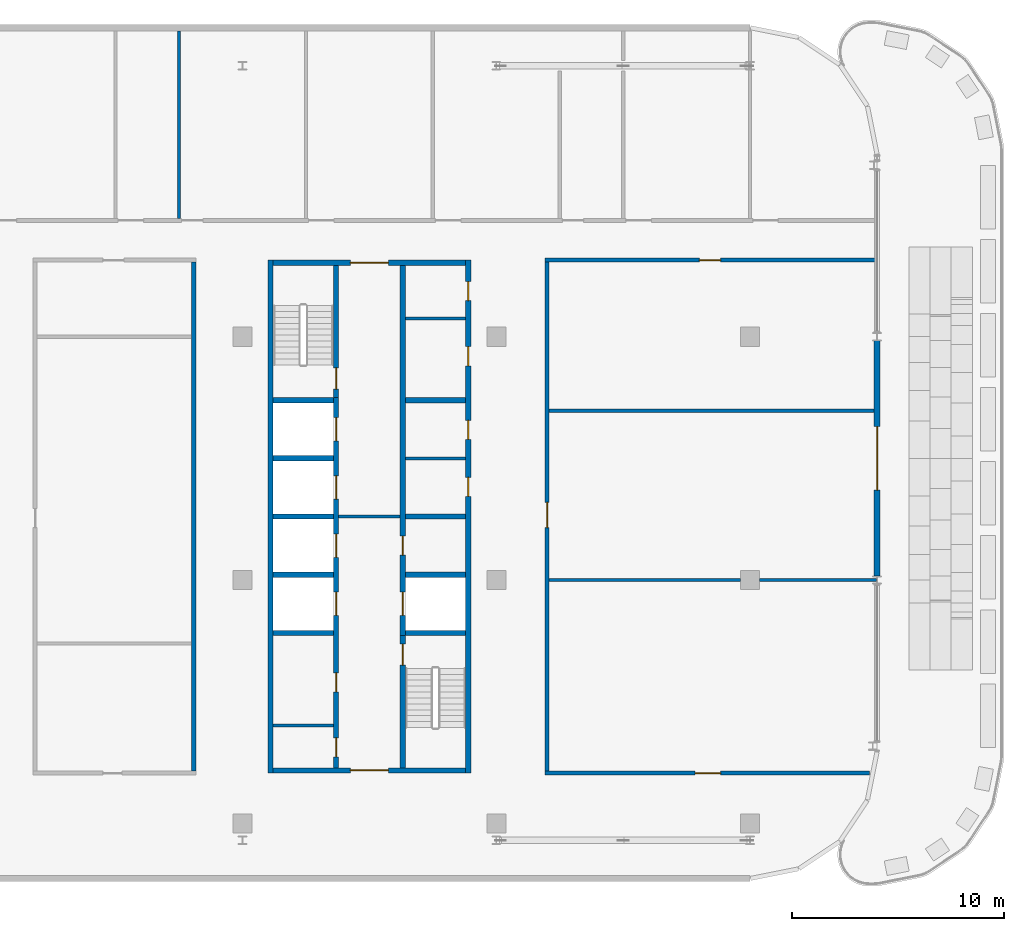
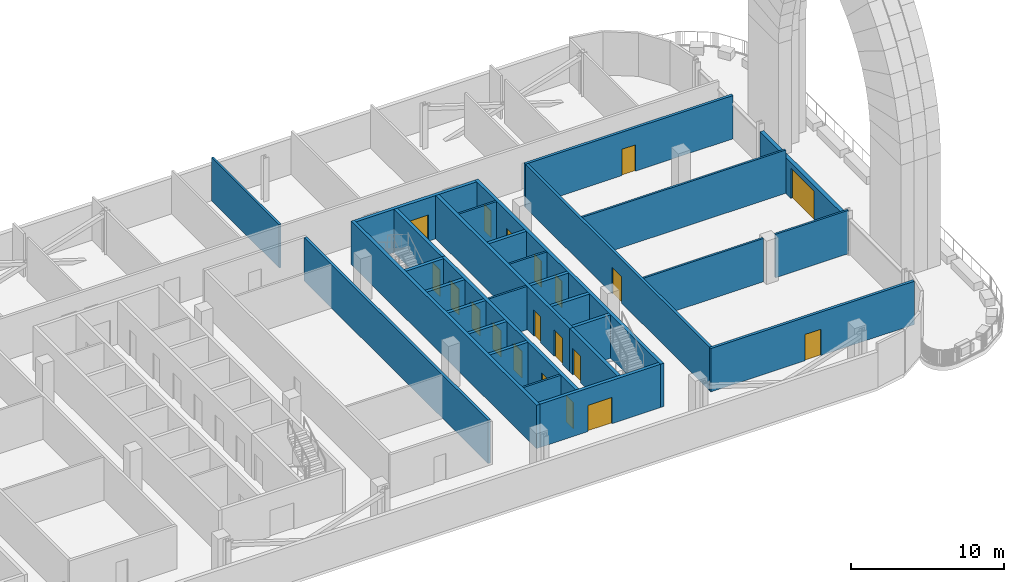
# One storey, part 17 of 30: 30 walls, 20 doors, 20 openings.
"""IFC4 building model written with IfcOpenShell, lengths in metres."""

from ifc_helpers import new_model, si_unit, direction, frame, frame_2d, origin, place, context, subcontext, project, spatial, rectangle, extrude, material, layer, layer_set, type_object, element, fill, save


model = new_model("IFC4")

# Units and contexts
model_context = context("Model", 3, precision=1e-05, world=origin(), true_north=direction((0.0, 1.0)))
body_context = subcontext(model_context, "Body", "Model", "MODEL_VIEW")
ifc_project = project(units=[si_unit("LENGTHUNIT", "METRE"), si_unit("AREAUNIT", "SQUARE_METRE"), si_unit("VOLUMEUNIT", "CUBIC_METRE"), si_unit("PLANEANGLEUNIT", "RADIAN"), si_unit("MASSUNIT", "GRAM", prefix="KILO")], contexts=[model_context])

# Site, building, storey
site_placement = place(None, origin())
site = spatial("IfcSite", under=ifc_project, at=site_placement, CompositionType="ELEMENT")
building_placement = place(site_placement, origin())
building = spatial("IfcBuilding", under=site, at=building_placement, Name="Mahtab Terrace Research Tower", CompositionType="ELEMENT")
storey_placement = place(building_placement, frame((0.0, 0.0, 263.300048828125)))
storey = spatial("IfcBuildingStorey", under=building, at=storey_placement, Name="L64", CompositionType="ELEMENT", Elevation=263.300048828125)

# Walls
ifc_material_1 = material(Name="Gypsum board partition")
ifc_layer_1 = layer(ifc_material_1, 0.14990234375)
ifc_layer_set_1 = layer_set([ifc_layer_1], Name="Core partition 150")
wall_type_1 = type_object("IfcWallType", Name="Core partition 150", PredefinedType="PARTITIONING", material=ifc_layer_set_1)
wall_1_placement = place(storey_placement, frame((22.550048828125, 3.0, 0.0), z_axis=(0.0, 0.0, 1.0), x_axis=(1.0, 0.0, 0.0)))
element("IfcWall", 1, at=wall_1_placement, inside=storey, type_object=wall_type_1, Name="Core wall C ffl", PredefinedType="PARTITIONING", context=body_context, shape_type="SweptSolid", body=[
    extrude(rectangle(XDim=2.89990234375, YDim=0.14990234375, at=frame_2d((1.449951171875, 0.0))), origin(), (0.0, 0.0, 1.0), 3.4599609375),
])
for number, where, z_axis, x_axis, name in (
    (2, (25.699951171875, 5.75, 0.0), (0.0, 0.0, 1.0), (1.0, 0.0, 0.0), "Core wall C pEL275"),
    (3, (19.449951171875, -6.875, 0.0), (0.0, 0.0, 1.0), (1.0, 0.0, 0.0), "Core wall C pWS-988"),
    (4, (25.699951171875, 12.35498046875, 0.0), (0.0, 0.0, 1.0), (1.0, 0.0, 0.0), "Core wall C pEN936"),
):
    element("IfcWall", number, at=place(storey_placement, frame(where, z_axis=z_axis, x_axis=x_axis)), inside=storey, type_object=wall_type_1, Name=name, PredefinedType="PARTITIONING", context=body_context, shape_type="SweptSolid", body=[
        extrude(rectangle(XDim=2.85009765625, YDim=0.14990234375, at=frame_2d((1.425048828125, 0.0))), origin(), (0.0, 0.0, 1.0), 3.4599609375),
    ])
ifc_material_2 = material(Name="Concrete C70/85", Category="concrete")
ifc_layer_2 = layer(ifc_material_2, 0.25)
ifc_layer_set_2 = layer_set([ifc_layer_2], Name="Core wall 250")
wall_type_2 = type_object("IfcWallType", Name="Core wall 250", PredefinedType="SOLIDWALL", material=ifc_layer_set_2)
wall_2_placement = place(storey_placement, frame((19.324951171875, 15.125, 0.0), z_axis=(0.0, 0.0, 1.0), x_axis=(0.0, -1.0, 0.0)))
element("IfcWall", 5, at=wall_2_placement, inside=storey, type_object=wall_type_2, Name="Core wall C outerW", PredefinedType="SOLIDWALL", context=body_context, shape_type="SweptSolid", body=[
    extrude(rectangle(XDim=24.25, YDim=0.25, at=frame_2d((12.125, 0.0))), origin(), (0.0, 0.0, 1.0), 3.4599609375),
])

# Wall, openings, doors
wall_3_placement = place(storey_placement, frame((28.675048828125, -9.125, 0.0), z_axis=(0.0, 0.0, 1.0), x_axis=(0.0, 1.0, 0.0)))
wall_3 = element("IfcWall", 6, at=wall_3_placement, inside=storey, type_object=wall_type_2, Name="Core wall C outerE", PredefinedType="SOLIDWALL", context=body_context, shape_type="SweptSolid", body=[
    extrude(rectangle(XDim=24.25, YDim=0.25, at=frame_2d((12.125, 0.0))), origin(), (0.0, 0.0, 1.0), 3.4599609375),
])
opening_1_placement = place(wall_3_placement, frame((13.074951171875, 0.0, 0.0)))
opening_1 = element("IfcOpeningElement", 7, at=opening_1_placement, cuts=wall_3, Name="Opening C-R2", PredefinedType="OPENING", context=body_context, shape_type="SweptSolid", body=[
    extrude(rectangle(XDim=0.89990234375, YDim=2.10009765625, at=frame_2d((0.449951171875, 1.050048828125))), frame((0.0, 0.135009765625, 0.0), z_axis=(0.0, -1.0, 0.0), x_axis=(1.0, 0.0, 0.0)), (0.0, 0.0, 1.0), 0.27001953125),
])
opening_2_placement = place(wall_3_placement, frame((15.77490234375, 0.0, 0.0)))
opening_2 = element("IfcOpeningElement", 8, at=opening_2_placement, cuts=wall_3, Name="Opening C-R3", PredefinedType="OPENING", context=body_context, shape_type="SweptSolid", body=[
    extrude(rectangle(XDim=0.89990234375, YDim=2.10009765625, at=frame_2d((0.449951171875, 1.050048828125))), frame((0.0, 0.135009765625, 0.0), z_axis=(0.0, -1.0, 0.0), x_axis=(1.0, 0.0, 0.0)), (0.0, 0.0, 1.0), 0.27001953125),
])
opening_3_placement = place(wall_3_placement, frame((19.25244140625, 0.0, 0.0)))
opening_3 = element("IfcOpeningElement", 9, at=opening_3_placement, cuts=wall_3, Name="Opening C-R6", PredefinedType="OPENING", context=body_context, shape_type="SweptSolid", body=[
    extrude(rectangle(XDim=0.89990234375, YDim=2.10009765625, at=frame_2d((0.449951171875, 1.050048828125))), frame((0.0, 0.135009765625, 0.0), z_axis=(0.0, -1.0, 0.0), x_axis=(1.0, 0.0, 0.0)), (0.0, 0.0, 1.0), 0.27001953125),
])
opening_4_placement = place(wall_3_placement, frame((22.327392578125, 0.0, 0.0)))
opening_4 = element("IfcOpeningElement", 10, at=opening_4_placement, cuts=wall_3, Name="Opening C-R7", PredefinedType="OPENING", context=body_context, shape_type="SweptSolid", body=[
    extrude(rectangle(XDim=0.89990234375, YDim=2.10009765625, at=frame_2d((0.449951171875, 1.050048828125))), frame((0.0, 0.135009765625, 0.0), z_axis=(0.0, -1.0, 0.0), x_axis=(1.0, 0.0, 0.0)), (0.0, 0.0, 1.0), 0.27001953125),
])
ifc_material_3 = material(Name="Steel fire door", Category="steel")
door_type_1 = type_object("IfcDoorType", Name="Room door 900x2100 1 HR", OperationType="NOTDEFINED", PredefinedType="DOOR", material=ifc_material_3)
door_1_placement = place(opening_1_placement, origin())
door_1 = element("IfcDoor", 11, at=door_1_placement, inside=storey, type_object=door_type_1, Name="Document store door", OperationType="SINGLE_SWING_RIGHT", OverallHeight=2.10009765625, OverallWidth=0.89990234375, PredefinedType="DOOR", context=body_context, shape_type="SweptSolid", body=[
    extrude(rectangle(XDim=0.89990234375, YDim=2.10009765625, at=frame_2d((0.449951171875, 1.050048828125))), frame((0.0, 0.02490234375, 0.0), z_axis=(0.0, -1.0, 0.0), x_axis=(1.0, 0.0, 0.0)), (0.0, 0.0, 1.0), 0.050048828125),
])
fill(opening_1, door_1)
door_2_placement = place(opening_2_placement, origin())
door_2 = element("IfcDoor", 12, at=door_2_placement, inside=storey, type_object=door_type_1, Name="IT equipment room door", OperationType="SINGLE_SWING_LEFT", OverallHeight=2.10009765625, OverallWidth=0.89990234375, PredefinedType="DOOR", context=body_context, shape_type="SweptSolid", body=[
    extrude(rectangle(XDim=0.89990234375, YDim=2.10009765625, at=frame_2d((0.449951171875, 1.050048828125))), frame((0.0, 0.02490234375, 0.0), z_axis=(0.0, -1.0, 0.0), x_axis=(1.0, 0.0, 0.0)), (0.0, 0.0, 1.0), 0.050048828125),
])
fill(opening_2, door_2)
door_3_placement = place(opening_3_placement, origin())
door_3 = element("IfcDoor", 13, at=door_3_placement, inside=storey, type_object=door_type_1, Name="Pantry door", OperationType="SINGLE_SWING_RIGHT", OverallHeight=2.10009765625, OverallWidth=0.89990234375, PredefinedType="DOOR", context=body_context, shape_type="SweptSolid", body=[
    extrude(rectangle(XDim=0.89990234375, YDim=2.10009765625, at=frame_2d((0.449951171875, 1.050048828125))), frame((0.0, 0.02490234375, 0.0), z_axis=(0.0, -1.0, 0.0), x_axis=(1.0, 0.0, 0.0)), (0.0, 0.0, 1.0), 0.050048828125),
])
fill(opening_3, door_3)
door_4_placement = place(opening_4_placement, origin())
door_4 = element("IfcDoor", 14, at=door_4_placement, inside=storey, type_object=door_type_1, Name="Linen store door", OperationType="SINGLE_SWING_LEFT", OverallHeight=2.10009765625, OverallWidth=0.89990234375, PredefinedType="DOOR", context=body_context, shape_type="SweptSolid", body=[
    extrude(rectangle(XDim=0.89990234375, YDim=2.10009765625, at=frame_2d((0.449951171875, 1.050048828125))), frame((0.0, 0.02490234375, 0.0), z_axis=(0.0, -1.0, 0.0), x_axis=(1.0, 0.0, 0.0)), (0.0, 0.0, 1.0), 0.050048828125),
])
fill(opening_4, door_4)

# Wall, opening, door
wall_4_placement = place(storey_placement, frame((28.550048828125, -9.0, 0.0), z_axis=(0.0, 0.0, 1.0), x_axis=(-1.0, 0.0, 0.0)))
wall_4 = element("IfcWall", 15, at=wall_4_placement, inside=storey, type_object=wall_type_2, Name="Core wall C endS", PredefinedType="SOLIDWALL", context=body_context, shape_type="SweptSolid", body=[
    extrude(rectangle(XDim=9.10009765625, YDim=0.25, at=frame_2d((4.550048828125, 0.0))), origin(), (0.0, 0.0, 1.0), 3.4599609375),
])
opening_5_placement = place(wall_4_placement, frame((3.64990234375, 0.0, 0.0)))
opening_5 = element("IfcOpeningElement", 16, at=opening_5_placement, cuts=wall_4, Name="Opening C-S1", PredefinedType="OPENING", context=body_context, shape_type="SweptSolid", body=[
    extrude(rectangle(XDim=1.800048828125, YDim=2.10009765625, at=frame_2d((0.89990234375, 1.050048828125))), frame((0.0, 0.135009765625, 0.0), z_axis=(0.0, -1.0, 0.0), x_axis=(1.0, 0.0, 0.0)), (0.0, 0.0, 1.0), 0.27001953125),
])
door_type_2 = type_object("IfcDoorType", Name="Lobby double door 1800x2100 1 HR", OperationType="DOUBLE_DOOR_SINGLE_SWING", PredefinedType="DOOR", material=ifc_material_3)
door_5_placement = place(opening_5_placement, origin())
door_5 = element("IfcDoor", 17, at=door_5_placement, inside=storey, type_object=door_type_2, Name="Core entrance door C S", OperationType="DOUBLE_DOOR_SINGLE_SWING", OverallHeight=2.10009765625, OverallWidth=1.800048828125, PredefinedType="DOOR", context=body_context, shape_type="SweptSolid", body=[
    extrude(rectangle(XDim=1.800048828125, YDim=2.10009765625, at=frame_2d((0.89990234375, 1.050048828125))), frame((0.0, 0.02490234375, 0.0), z_axis=(0.0, -1.0, 0.0), x_axis=(1.0, 0.0, 0.0)), (0.0, 0.0, 1.0), 0.050048828125),
])
fill(opening_5, door_5)

wall_5_placement = place(storey_placement, frame((19.449951171875, 15.0, 0.0), z_axis=(0.0, 0.0, 1.0), x_axis=(1.0, 0.0, 0.0)))
wall_5 = element("IfcWall", 18, at=wall_5_placement, inside=storey, type_object=wall_type_2, Name="Core wall C endN", PredefinedType="SOLIDWALL", context=body_context, shape_type="SweptSolid", body=[
    extrude(rectangle(XDim=9.10009765625, YDim=0.25, at=frame_2d((4.550048828125, 0.0))), origin(), (0.0, 0.0, 1.0), 3.4599609375),
])
opening_6_placement = place(wall_5_placement, frame((3.64990234375, 0.0, 0.0)))
opening_6 = element("IfcOpeningElement", 19, at=opening_6_placement, cuts=wall_5, Name="Opening C-N1", PredefinedType="OPENING", context=body_context, shape_type="SweptSolid", body=[
    extrude(rectangle(XDim=1.800048828125, YDim=2.10009765625, at=frame_2d((0.89990234375, 1.050048828125))), frame((0.0, 0.135009765625, 0.0), z_axis=(0.0, -1.0, 0.0), x_axis=(1.0, 0.0, 0.0)), (0.0, 0.0, 1.0), 0.27001953125),
])
door_6_placement = place(opening_6_placement, origin())
door_6 = element("IfcDoor", 20, at=door_6_placement, inside=storey, type_object=door_type_2, Name="Core entrance door C N", OperationType="DOUBLE_DOOR_SINGLE_SWING", OverallHeight=2.10009765625, OverallWidth=1.800048828125, PredefinedType="DOOR", context=body_context, shape_type="SweptSolid", body=[
    extrude(rectangle(XDim=1.800048828125, YDim=2.10009765625, at=frame_2d((0.89990234375, 1.050048828125))), frame((0.0, 0.02490234375, 0.0), z_axis=(0.0, -1.0, 0.0), x_axis=(1.0, 0.0, 0.0)), (0.0, 0.0, 1.0), 0.050048828125),
])
fill(opening_6, door_6)

# Wall, openings, doors
wall_6_placement = place(storey_placement, frame((22.425048828125, -8.875, 0.0), z_axis=(0.0, 0.0, 1.0), x_axis=(0.0, 1.0, 0.0)))
wall_6 = element("IfcWall", 21, at=wall_6_placement, inside=storey, type_object=wall_type_2, Name="Core wall C innerWSL", PredefinedType="SOLIDWALL", context=body_context, shape_type="SweptSolid", body=[
    extrude(rectangle(XDim=17.5, YDim=0.25, at=frame_2d((8.75, 0.0))), origin(), (0.0, 0.0, 1.0), 3.4599609375),
])
opening_7_placement = place(wall_6_placement, frame((7.199951171875, 0.0, 0.0)))
opening_7 = element("IfcOpeningElement", 22, at=opening_7_placement, cuts=wall_6, Name="Opening LD17-L64", PredefinedType="OPENING", context=body_context, shape_type="SweptSolid", body=[
    extrude(rectangle(XDim=1.10009765625, YDim=2.10009765625, at=frame_2d((0.550048828125, 1.050048828125))), frame((0.0, 0.135009765625, 0.0), z_axis=(0.0, -1.0, 0.0), x_axis=(1.0, 0.0, 0.0)), (0.0, 0.0, 1.0), 0.27001953125),
])
opening_8_placement = place(wall_6_placement, frame((9.949951171875, 0.0, 0.0)))
opening_8 = element("IfcOpeningElement", 23, at=opening_8_placement, cuts=wall_6, Name="Opening LD18-L64", PredefinedType="OPENING", context=body_context, shape_type="SweptSolid", body=[
    extrude(rectangle(XDim=1.10009765625, YDim=2.10009765625, at=frame_2d((0.550048828125, 1.050048828125))), frame((0.0, 0.135009765625, 0.0), z_axis=(0.0, -1.0, 0.0), x_axis=(1.0, 0.0, 0.0)), (0.0, 0.0, 1.0), 0.27001953125),
])
opening_9_placement = place(wall_6_placement, frame((12.699951171875, 0.0, 0.0)))
opening_9 = element("IfcOpeningElement", 24, at=opening_9_placement, cuts=wall_6, Name="Opening LD19-L64", PredefinedType="OPENING", context=body_context, shape_type="SweptSolid", body=[
    extrude(rectangle(XDim=1.10009765625, YDim=2.10009765625, at=frame_2d((0.550048828125, 1.050048828125))), frame((0.0, 0.135009765625, 0.0), z_axis=(0.0, -1.0, 0.0), x_axis=(1.0, 0.0, 0.0)), (0.0, 0.0, 1.0), 0.27001953125),
])
opening_10_placement = place(wall_6_placement, frame((15.449951171875, 0.0, 0.0)))
opening_10 = element("IfcOpeningElement", 25, at=opening_10_placement, cuts=wall_6, Name="Opening LD20-L64", PredefinedType="OPENING", context=body_context, shape_type="SweptSolid", body=[
    extrude(rectangle(XDim=1.10009765625, YDim=2.10009765625, at=frame_2d((0.550048828125, 1.050048828125))), frame((0.0, 0.135009765625, 0.0), z_axis=(0.0, -1.0, 0.0), x_axis=(1.0, 0.0, 0.0)), (0.0, 0.0, 1.0), 0.27001953125),
])
opening_11_placement = place(wall_6_placement, frame((0.512451171875, 0.0, 0.0)))
opening_11 = element("IfcOpeningElement", 26, at=opening_11_placement, cuts=wall_6, Name="Opening C-R4", PredefinedType="OPENING", context=body_context, shape_type="SweptSolid", body=[
    extrude(rectangle(XDim=0.89990234375, YDim=2.10009765625, at=frame_2d((0.449951171875, 1.050048828125))), frame((0.0, 0.135009765625, 0.0), z_axis=(0.0, -1.0, 0.0), x_axis=(1.0, 0.0, 0.0)), (0.0, 0.0, 1.0), 0.27001953125),
])
opening_12_placement = place(wall_6_placement, frame((3.58740234375, 0.0, 0.0)))
opening_12 = element("IfcOpeningElement", 27, at=opening_12_placement, cuts=wall_6, Name="Opening C-R5", PredefinedType="OPENING", context=body_context, shape_type="SweptSolid", body=[
    extrude(rectangle(XDim=0.89990234375, YDim=2.10009765625, at=frame_2d((0.449951171875, 1.050048828125))), frame((0.0, 0.135009765625, 0.0), z_axis=(0.0, -1.0, 0.0), x_axis=(1.0, 0.0, 0.0)), (0.0, 0.0, 1.0), 0.27001953125),
])
ifc_material_4 = material(Name="Stainless steel AISI 304", Category="steel")
door_type_3 = type_object("IfcDoorType", Name="Landing door 1100x2100", OperationType="DOUBLE_DOOR_SLIDING", PredefinedType="DOOR", material=ifc_material_4)
door_7_placement = place(opening_7_placement, origin())
door_7 = element("IfcDoor", 28, at=door_7_placement, inside=storey, type_object=door_type_3, Name="Landing door SV1 L64", OperationType="DOUBLE_DOOR_SLIDING", OverallHeight=2.10009765625, OverallWidth=1.10009765625, PredefinedType="DOOR", context=body_context, shape_type="SweptSolid", body=[
    extrude(rectangle(XDim=1.10009765625, YDim=2.10009765625, at=frame_2d((0.550048828125, 1.050048828125))), frame((0.0, 0.02490234375, 0.0), z_axis=(0.0, -1.0, 0.0), x_axis=(1.0, 0.0, 0.0)), (0.0, 0.0, 1.0), 0.050048828125),
])
fill(opening_7, door_7)
door_8_placement = place(opening_8_placement, origin())
door_8 = element("IfcDoor", 29, at=door_8_placement, inside=storey, type_object=door_type_3, Name="Landing door SV2 L64", OperationType="DOUBLE_DOOR_SLIDING", OverallHeight=2.10009765625, OverallWidth=1.10009765625, PredefinedType="DOOR", context=body_context, shape_type="SweptSolid", body=[
    extrude(rectangle(XDim=1.10009765625, YDim=2.10009765625, at=frame_2d((0.550048828125, 1.050048828125))), frame((0.0, 0.02490234375, 0.0), z_axis=(0.0, -1.0, 0.0), x_axis=(1.0, 0.0, 0.0)), (0.0, 0.0, 1.0), 0.050048828125),
])
fill(opening_8, door_8)
door_9_placement = place(opening_9_placement, origin())
door_9 = element("IfcDoor", 30, at=door_9_placement, inside=storey, type_object=door_type_3, Name="Landing door FF1 L64", OperationType="DOUBLE_DOOR_SLIDING", OverallHeight=2.10009765625, OverallWidth=1.10009765625, PredefinedType="DOOR", context=body_context, shape_type="SweptSolid", body=[
    extrude(rectangle(XDim=1.10009765625, YDim=2.10009765625, at=frame_2d((0.550048828125, 1.050048828125))), frame((0.0, 0.02490234375, 0.0), z_axis=(0.0, -1.0, 0.0), x_axis=(1.0, 0.0, 0.0)), (0.0, 0.0, 1.0), 0.050048828125),
])
fill(opening_9, door_9)
door_10_placement = place(opening_10_placement, origin())
door_10 = element("IfcDoor", 31, at=door_10_placement, inside=storey, type_object=door_type_3, Name="Landing door FF2 L64", OperationType="DOUBLE_DOOR_SLIDING", OverallHeight=2.10009765625, OverallWidth=1.10009765625, PredefinedType="DOOR", context=body_context, shape_type="SweptSolid", body=[
    extrude(rectangle(XDim=1.10009765625, YDim=2.10009765625, at=frame_2d((0.550048828125, 1.050048828125))), frame((0.0, 0.02490234375, 0.0), z_axis=(0.0, -1.0, 0.0), x_axis=(1.0, 0.0, 0.0)), (0.0, 0.0, 1.0), 0.050048828125),
])
fill(opening_10, door_10)
door_11_placement = place(opening_11_placement, origin())
door_11 = element("IfcDoor", 32, at=door_11_placement, inside=storey, type_object=door_type_1, Name="Accessible WC door", OperationType="SINGLE_SWING_RIGHT", OverallHeight=2.10009765625, OverallWidth=0.89990234375, PredefinedType="DOOR", context=body_context, shape_type="SweptSolid", body=[
    extrude(rectangle(XDim=0.89990234375, YDim=2.10009765625, at=frame_2d((0.449951171875, 1.050048828125))), frame((0.0, 0.02490234375, 0.0), z_axis=(0.0, -1.0, 0.0), x_axis=(1.0, 0.0, 0.0)), (0.0, 0.0, 1.0), 0.050048828125),
])
fill(opening_11, door_11)
door_12_placement = place(opening_12_placement, origin())
door_12 = element("IfcDoor", 33, at=door_12_placement, inside=storey, type_object=door_type_1, Name="WC block door", OperationType="SINGLE_SWING_LEFT", OverallHeight=2.10009765625, OverallWidth=0.89990234375, PredefinedType="DOOR", context=body_context, shape_type="SweptSolid", body=[
    extrude(rectangle(XDim=0.89990234375, YDim=2.10009765625, at=frame_2d((0.449951171875, 1.050048828125))), frame((0.0, 0.02490234375, 0.0), z_axis=(0.0, -1.0, 0.0), x_axis=(1.0, 0.0, 0.0)), (0.0, 0.0, 1.0), 0.050048828125),
])
fill(opening_12, door_12)

# Wall, opening, door
wall_7_placement = place(storey_placement, frame((22.425048828125, 14.875, 0.0), z_axis=(0.0, 0.0, 1.0), x_axis=(0.0, -1.0, 0.0)))
wall_7 = element("IfcWall", 34, at=wall_7_placement, inside=storey, type_object=wall_type_2, Name="Core wall C innerWN", PredefinedType="SOLIDWALL", context=body_context, shape_type="SweptSolid", body=[
    extrude(rectangle(XDim=6.25, YDim=0.25, at=frame_2d((3.125, 0.0))), origin(), (0.0, 0.0, 1.0), 3.4599609375),
])
opening_13_placement = place(wall_7_placement, frame((4.85009765625, 0.0, 0.0)))
opening_13 = element("IfcOpeningElement", 35, at=opening_13_placement, cuts=wall_7, Name="Opening C-ST3", PredefinedType="OPENING", context=body_context, shape_type="SweptSolid", body=[
    extrude(rectangle(XDim=1.0, YDim=2.10009765625, at=frame_2d((0.5, 1.050048828125))), frame((0.0, 0.135009765625, 0.0), z_axis=(0.0, -1.0, 0.0), x_axis=(1.0, 0.0, 0.0)), (0.0, 0.0, 1.0), 0.27001953125),
])
door_type_4 = type_object("IfcDoorType", Name="Stair door 1000x2100 1.5 HR", OperationType="NOTDEFINED", PredefinedType="DOOR", material=ifc_material_3)
door_13_placement = place(opening_13_placement, origin())
door_13 = element("IfcDoor", 36, at=door_13_placement, inside=storey, type_object=door_type_4, Name="Stair door ST3 L64", OperationType="SINGLE_SWING_RIGHT", OverallHeight=2.10009765625, OverallWidth=1.0, PredefinedType="DOOR", context=body_context, shape_type="SweptSolid", body=[
    extrude(rectangle(XDim=1.0, YDim=2.10009765625, at=frame_2d((0.5, 1.050048828125))), frame((0.0, 0.02490234375, 0.0), z_axis=(0.0, -1.0, 0.0), x_axis=(1.0, 0.0, 0.0)), (0.0, 0.0, 1.0), 0.050048828125),
])
fill(opening_13, door_13)

wall_8_placement = place(storey_placement, frame((25.574951171875, -8.875, 0.0), z_axis=(0.0, 0.0, 1.0), x_axis=(0.0, 1.0, 0.0)))
wall_8 = element("IfcWall", 37, at=wall_8_placement, inside=storey, type_object=wall_type_2, Name="Core wall C innerES", PredefinedType="SOLIDWALL", context=body_context, shape_type="SweptSolid", body=[
    extrude(rectangle(XDim=6.25, YDim=0.25, at=frame_2d((3.125, 0.0))), origin(), (0.0, 0.0, 1.0), 3.4599609375),
])
opening_14_placement = place(wall_8_placement, frame((4.85009765625, 0.0, 0.0)))
opening_14 = element("IfcOpeningElement", 38, at=opening_14_placement, cuts=wall_8, Name="Opening C-ST4", PredefinedType="OPENING", context=body_context, shape_type="SweptSolid", body=[
    extrude(rectangle(XDim=1.0, YDim=2.10009765625, at=frame_2d((0.5, 1.050048828125))), frame((0.0, 0.135009765625, 0.0), z_axis=(0.0, -1.0, 0.0), x_axis=(1.0, 0.0, 0.0)), (0.0, 0.0, 1.0), 0.27001953125),
])
door_14_placement = place(opening_14_placement, origin())
door_14 = element("IfcDoor", 39, at=door_14_placement, inside=storey, type_object=door_type_4, Name="Stair door ST4 L64", OperationType="SINGLE_SWING_LEFT", OverallHeight=2.10009765625, OverallWidth=1.0, PredefinedType="DOOR", context=body_context, shape_type="SweptSolid", body=[
    extrude(rectangle(XDim=1.0, YDim=2.10009765625, at=frame_2d((0.5, 1.050048828125))), frame((0.0, 0.02490234375, 0.0), z_axis=(0.0, -1.0, 0.0), x_axis=(1.0, 0.0, 0.0)), (0.0, 0.0, 1.0), 0.050048828125),
])
fill(opening_14, door_14)

# Wall, openings, doors
wall_9_placement = place(storey_placement, frame((25.574951171875, 14.875, 0.0), z_axis=(0.0, 0.0, 1.0), x_axis=(0.0, -1.0, 0.0)))
wall_9 = element("IfcWall", 40, at=wall_9_placement, inside=storey, type_object=wall_type_2, Name="Core wall C innerELN", PredefinedType="SOLIDWALL", context=body_context, shape_type="SweptSolid", body=[
    extrude(rectangle(XDim=17.5, YDim=0.25, at=frame_2d((8.75, 0.0))), origin(), (0.0, 0.0, 1.0), 3.4599609375),
])
opening_15_placement = place(wall_9_placement, frame((15.449951171875, 0.0, 0.0)))
opening_15 = element("IfcOpeningElement", 41, at=opening_15_placement, cuts=wall_9, Name="Opening LD21-L64", PredefinedType="OPENING", context=body_context, shape_type="SweptSolid", body=[
    extrude(rectangle(XDim=1.10009765625, YDim=2.10009765625, at=frame_2d((0.550048828125, 1.050048828125))), frame((0.0, 0.135009765625, 0.0), z_axis=(0.0, -1.0, 0.0), x_axis=(1.0, 0.0, 0.0)), (0.0, 0.0, 1.0), 0.27001953125),
])
opening_16_placement = place(wall_9_placement, frame((12.800048828125, 0.0, 0.0)))
opening_16 = element("IfcOpeningElement", 42, at=opening_16_placement, cuts=wall_9, Name="Opening C-R1", PredefinedType="OPENING", context=body_context, shape_type="SweptSolid", body=[
    extrude(rectangle(XDim=0.89990234375, YDim=2.10009765625, at=frame_2d((0.449951171875, 1.050048828125))), frame((0.0, 0.135009765625, 0.0), z_axis=(0.0, -1.0, 0.0), x_axis=(1.0, 0.0, 0.0)), (0.0, 0.0, 1.0), 0.27001953125),
])
door_15_placement = place(opening_15_placement, origin())
door_15 = element("IfcDoor", 43, at=door_15_placement, inside=storey, type_object=door_type_3, Name="Landing door SV3 L64", OperationType="DOUBLE_DOOR_SLIDING", OverallHeight=2.10009765625, OverallWidth=1.10009765625, PredefinedType="DOOR", context=body_context, shape_type="SweptSolid", body=[
    extrude(rectangle(XDim=1.10009765625, YDim=2.10009765625, at=frame_2d((0.550048828125, 1.050048828125))), frame((0.0, 0.02490234375, 0.0), z_axis=(0.0, -1.0, 0.0), x_axis=(1.0, 0.0, 0.0)), (0.0, 0.0, 1.0), 0.050048828125),
])
fill(opening_15, door_15)
door_16_placement = place(opening_16_placement, origin())
door_16 = element("IfcDoor", 44, at=door_16_placement, inside=storey, type_object=door_type_1, Name="Plant room door", OperationType="SINGLE_SWING_LEFT", OverallHeight=2.10009765625, OverallWidth=0.89990234375, PredefinedType="DOOR", context=body_context, shape_type="SweptSolid", body=[
    extrude(rectangle(XDim=0.89990234375, YDim=2.10009765625, at=frame_2d((0.449951171875, 1.050048828125))), frame((0.0, 0.02490234375, 0.0), z_axis=(0.0, -1.0, 0.0), x_axis=(1.0, 0.0, 0.0)), (0.0, 0.0, 1.0), 0.050048828125),
])
fill(opening_16, door_16)

# Walls
for number, where, z_axis, x_axis, name in (
    (45, (19.449951171875, -2.5, 0.0), (0.0, 0.0, 1.0), (1.0, 0.0, 0.0), "Core wall C divW0"),
    (46, (19.449951171875, 0.25, 0.0), (0.0, 0.0, 1.0), (1.0, 0.0, 0.0), "Core wall C divW1"),
    (47, (19.449951171875, 3.0, 0.0), (0.0, 0.0, 1.0), (1.0, 0.0, 0.0), "Core wall C divW2"),
    (48, (19.449951171875, 5.75, 0.0), (0.0, 0.0, 1.0), (1.0, 0.0, 0.0), "Core wall C divW3"),
    (49, (19.449951171875, 8.5, 0.0), (0.0, 0.0, 1.0), (1.0, 0.0, 0.0), "Core wall C divW4"),
    (50, (25.699951171875, -2.5, 0.0), (0.0, 0.0, 1.0), (1.0, 0.0, 0.0), "Core wall C divE0"),
    (51, (25.699951171875, 0.25, 0.0), (0.0, 0.0, 1.0), (1.0, 0.0, 0.0), "Core wall C divE1"),
    (52, (25.699951171875, 3.0, 0.0), (0.0, 0.0, 1.0), (1.0, 0.0, 0.0), "Core wall C divE2"),
    (53, (25.699951171875, 8.5, 0.0), (0.0, 0.0, 1.0), (1.0, 0.0, 0.0), "Core wall C divE4"),
):
    element("IfcWall", number, at=place(storey_placement, frame(where, z_axis=z_axis, x_axis=x_axis)), inside=storey, type_object=wall_type_2, Name=name, PredefinedType="SOLIDWALL", context=body_context, shape_type="SweptSolid", body=[
        extrude(rectangle(XDim=2.85009765625, YDim=0.25, at=frame_2d((1.425048828125, 0.0))), origin(), (0.0, 0.0, 1.0), 3.4599609375),
    ])

# Wall, opening, door
ifc_material_5 = material(Name="Black aluminium cladding panel", Category="aluminium")
ifc_layer_3 = layer(ifc_material_5, 0.300048828125)
ifc_layer_set_3 = layer_set([ifc_layer_3], Name="Opaque facade wall 300")
wall_type_3 = type_object("IfcWallType", Name="Opaque facade wall 300", PredefinedType="NOTDEFINED", material=ifc_layer_set_3)
wall_10_placement = place(storey_placement, frame((48.0, 0.18798828125, 0.0), z_axis=(0.0, 0.0, 1.0), x_axis=(0.0, 1.0, 0.0)))
wall_10 = element("IfcWall", 54, at=wall_10_placement, inside=storey, type_object=wall_type_3, Name="Opaque facade wall L64 E23", PredefinedType="NOTDEFINED", context=body_context, shape_type="SweptSolid", body=[
    extrude(rectangle(XDim=11.1240234375, YDim=0.300048828125, at=frame_2d((5.56201171875, 0.0))), origin(), (0.0, 0.0, 1.0), 2.852783203125),
])
opening_17_placement = place(wall_10_placement, frame((4.06201171875, 0.0, 0.0)))
opening_17 = element("IfcOpeningElement", 55, at=opening_17_placement, cuts=wall_10, Name="Opening ED1", PredefinedType="OPENING", context=body_context, shape_type="SweptSolid", body=[
    extrude(rectangle(XDim=3.0, YDim=2.39990234375, at=frame_2d((1.5, 1.199951171875))), frame((0.0, 0.159912109375, 0.0), z_axis=(0.0, -1.0, 0.0), x_axis=(1.0, 0.0, 0.0)), (0.0, 0.0, 1.0), 0.320068359375),
])
ifc_material_6 = material(Name="Black anodised aluminium", Category="aluminium")
door_type_5 = type_object("IfcDoorType", Name="Terrace double door 3000x2400", OperationType="DOUBLE_DOOR_DOUBLE_SWING", PredefinedType="DOOR", material=ifc_material_6)
door_17_placement = place(opening_17_placement, origin())
door_17 = element("IfcDoor", 56, at=door_17_placement, inside=storey, type_object=door_type_5, Name="Terrace door L64 E", OperationType="SINGLE_SWING_LEFT", OverallHeight=2.39990234375, OverallWidth=3.0, PredefinedType="DOOR", context=body_context, shape_type="SweptSolid", body=[
    extrude(rectangle(XDim=3.0, YDim=2.39990234375, at=frame_2d((1.5, 1.199951171875))), frame((0.0, 0.02490234375, 0.0), z_axis=(0.0, -1.0, 0.0), x_axis=(1.0, 0.0, 0.0)), (0.0, 0.0, 1.0), 0.050048828125),
])
fill(opening_17, door_17)

ifc_material_7 = material(Name="Gypsum board corridor wall on steel studs", Category="steel")
ifc_layer_4 = layer(ifc_material_7, 0.199951171875)
ifc_layer_set_4 = layer_set([ifc_layer_4], Name="WALL CORRIDOR 200")
wall_type_4 = type_object("IfcWallType", Name="WALL CORRIDOR 200", PredefinedType="PARTITIONING", material=ifc_layer_set_4)
wall_11_placement = place(storey_placement, frame((32.300048828125, -9.125, 0.0), z_axis=(0.0, 0.0, 1.0), x_axis=(1.0, 0.0, 0.0)))
wall_11 = element("IfcWall", 57, at=wall_11_placement, inside=storey, type_object=wall_type_4, Name="L64-W004", PredefinedType="PARTITIONING", context=body_context, shape_type="SweptSolid", body=[
    extrude(rectangle(XDim=15.345458984375, YDim=0.199951171875, at=frame_2d((7.6728515625, 0.0))), origin(), (0.0, 0.0, 1.0), 3.4599609375),
])
opening_18_placement = place(wall_11_placement, frame((7.10009765625, 0.0, 0.0)))
opening_18 = element("IfcOpeningElement", 58, at=opening_18_placement, cuts=wall_11, Name="Opening L64-104", PredefinedType="OPENING", context=body_context, shape_type="SweptSolid", body=[
    extrude(rectangle(XDim=1.199951171875, YDim=2.10009765625, at=frame_2d((0.60009765625, 1.050048828125))), frame((0.0, 0.10986328125, 0.0), z_axis=(0.0, -1.0, 0.0), x_axis=(1.0, 0.0, 0.0)), (0.0, 0.0, 1.0), 0.219970703125),
])
ifc_material_8 = material(Name="Timber door leaf in steel frame", Category="steel")
door_type_6 = type_object("IfcDoorType", Name="DOOR 1200X2100 FD30S", OperationType="SINGLE_SWING_LEFT", PredefinedType="DOOR", material=ifc_material_8)
door_18_placement = place(opening_18_placement, origin())
door_18 = element("IfcDoor", 59, at=door_18_placement, inside=storey, type_object=door_type_6, Name="Door L64-104", OperationType="SINGLE_SWING_RIGHT", OverallHeight=2.10009765625, OverallWidth=1.199951171875, PredefinedType="DOOR", context=body_context, shape_type="SweptSolid", body=[
    extrude(rectangle(XDim=1.199951171875, YDim=2.10009765625, at=frame_2d((0.60009765625, 1.050048828125))), frame((0.0, 0.02490234375, 0.0), z_axis=(0.0, -1.0, 0.0), x_axis=(1.0, 0.0, 0.0)), (0.0, 0.0, 1.0), 0.050048828125),
])
fill(opening_18, door_18)

wall_12_placement = place(storey_placement, frame((32.300048828125, 15.125, 0.0), z_axis=(0.0, 0.0, 1.0), x_axis=(1.0, 0.0, 0.0)))
wall_12 = element("IfcWall", 60, at=wall_12_placement, inside=storey, type_object=wall_type_4, Name="L64-W018", PredefinedType="PARTITIONING", context=body_context, shape_type="SweptSolid", body=[
    extrude(rectangle(XDim=15.675048828125, YDim=0.199951171875, at=frame_2d((7.83740234375, 0.0))), origin(), (0.0, 0.0, 1.0), 3.4599609375),
])
opening_19_placement = place(wall_12_placement, frame((7.300048828125, 0.0, 0.0)))
opening_19 = element("IfcOpeningElement", 61, at=opening_19_placement, cuts=wall_12, Name="Opening L64-110", PredefinedType="OPENING", context=body_context, shape_type="SweptSolid", body=[
    extrude(rectangle(XDim=1.0, YDim=2.10009765625, at=frame_2d((0.5, 1.050048828125))), frame((0.0, 0.10986328125, 0.0), z_axis=(0.0, -1.0, 0.0), x_axis=(1.0, 0.0, 0.0)), (0.0, 0.0, 1.0), 0.219970703125),
])
door_type_7 = type_object("IfcDoorType", Name="DOOR 1000X2100 FD30S", OperationType="SINGLE_SWING_LEFT", PredefinedType="DOOR", material=ifc_material_8)
door_19_placement = place(opening_19_placement, origin())
door_19 = element("IfcDoor", 62, at=door_19_placement, inside=storey, type_object=door_type_7, Name="Door L64-110", OperationType="SINGLE_SWING_LEFT", OverallHeight=2.10009765625, OverallWidth=1.0, PredefinedType="DOOR", context=body_context, shape_type="SweptSolid", body=[
    extrude(rectangle(XDim=1.0, YDim=2.10009765625, at=frame_2d((0.5, 1.050048828125))), frame((0.0, 0.02490234375, 0.0), z_axis=(0.0, -1.0, 0.0), x_axis=(1.0, 0.0, 0.0)), (0.0, 0.0, 1.0), 0.050048828125),
])
fill(opening_19, door_19)

# Wall
wall_13_placement = place(storey_placement, frame((15.699951171875, -9.02490234375, 0.0), z_axis=(0.0, 0.0, 1.0), x_axis=(0.0, 1.0, 0.0)))
element("IfcWall", 63, at=wall_13_placement, inside=storey, type_object=wall_type_4, Name="L64-W038", PredefinedType="PARTITIONING", context=body_context, shape_type="SweptSolid", body=[
    extrude(rectangle(XDim=24.0498046875, YDim=0.199951171875, at=frame_2d((12.02490234375, 0.0))), origin(), (0.0, 0.0, 1.0), 3.4599609375),
])

# Wall, opening, door
wall_14_placement = place(storey_placement, frame((32.39990234375, -9.02490234375, 0.0), z_axis=(0.0, 0.0, 1.0), x_axis=(0.0, 1.0, 0.0)))
wall_14 = element("IfcWall", 64, at=wall_14_placement, inside=storey, type_object=wall_type_4, Name="L64-W041", PredefinedType="PARTITIONING", context=body_context, shape_type="SweptSolid", body=[
    extrude(rectangle(XDim=24.0498046875, YDim=0.199951171875, at=frame_2d((12.02490234375, 0.0))), origin(), (0.0, 0.0, 1.0), 3.4599609375),
])
opening_20_placement = place(wall_14_placement, frame((11.5, 0.0, 0.0)))
opening_20 = element("IfcOpeningElement", 65, at=opening_20_placement, cuts=wall_14, Name="Opening L64-108", PredefinedType="OPENING", context=body_context, shape_type="SweptSolid", body=[
    extrude(rectangle(XDim=1.199951171875, YDim=2.10009765625, at=frame_2d((0.60009765625, 1.050048828125))), frame((0.0, 0.10986328125, 0.0), z_axis=(0.0, -1.0, 0.0), x_axis=(1.0, 0.0, 0.0)), (0.0, 0.0, 1.0), 0.219970703125),
])
door_20_placement = place(opening_20_placement, origin())
door_20 = element("IfcDoor", 66, at=door_20_placement, inside=storey, type_object=door_type_6, Name="Door L64-108", OperationType="SINGLE_SWING_LEFT", OverallHeight=2.10009765625, OverallWidth=1.199951171875, PredefinedType="DOOR", context=body_context, shape_type="SweptSolid", body=[
    extrude(rectangle(XDim=1.199951171875, YDim=2.10009765625, at=frame_2d((0.60009765625, 1.050048828125))), frame((0.0, 0.02490234375, 0.0), z_axis=(0.0, -1.0, 0.0), x_axis=(1.0, 0.0, 0.0)), (0.0, 0.0, 1.0), 0.050048828125),
])
fill(opening_20, door_20)

# Walls
ifc_material_9 = material(Name="Gypsum board partition on steel studs", Category="steel")
ifc_layer_5 = layer(ifc_material_9, 0.14990234375)
ifc_layer_set_5 = layer_set([ifc_layer_5], Name="WALL PARTITION 150")
wall_type_5 = type_object("IfcWallType", Name="WALL PARTITION 150", PredefinedType="PARTITIONING", material=ifc_layer_set_5)
wall_15_placement = place(storey_placement, frame((32.5, 0.0, 0.0), z_axis=(0.0, 0.0, 1.0), x_axis=(1.0, 0.0, 0.0)))
element("IfcWall", 67, at=wall_15_placement, inside=storey, type_object=wall_type_5, Name="L64-W008", PredefinedType="PARTITIONING", context=body_context, shape_type="SweptSolid", body=[
    extrude(rectangle(XDim=9.050048828125, YDim=0.14990234375, at=frame_2d((4.52490234375, 0.0))), origin(), (0.0, 0.0, 1.0), 3.4599609375),
])
wall_16_placement = place(storey_placement, frame((42.449951171875, 0.0, 0.0), z_axis=(0.0, 0.0, 1.0), x_axis=(1.0, 0.0, 0.0)))
element("IfcWall", 68, at=wall_16_placement, inside=storey, type_object=wall_type_5, Name="L64-W009", PredefinedType="PARTITIONING", context=body_context, shape_type="SweptSolid", body=[
    extrude(rectangle(XDim=5.525146484375, YDim=0.14990234375, at=frame_2d((2.7626953125, 0.0))), origin(), (0.0, 0.0, 1.0), 3.4599609375),
])
wall_17_placement = place(storey_placement, frame((32.5, 8.0, 0.0), z_axis=(0.0, 0.0, 1.0), x_axis=(1.0, 0.0, 0.0)))
element("IfcWall", 69, at=wall_17_placement, inside=storey, type_object=wall_type_5, Name="L64-W011", PredefinedType="PARTITIONING", context=body_context, shape_type="SweptSolid", body=[
    extrude(rectangle(XDim=15.35009765625, YDim=0.14990234375, at=frame_2d((7.675048828125, 0.0))), origin(), (0.0, 0.0, 1.0), 3.4599609375),
])
wall_18_placement = place(storey_placement, frame((15.0, 17.10009765625, 0.0), z_axis=(0.0, 0.0, 1.0), x_axis=(0.0, 1.0, 0.0)))
element("IfcWall", 70, at=wall_18_placement, inside=storey, type_object=wall_type_5, Name="L64-W037", PredefinedType="PARTITIONING", context=body_context, shape_type="SweptSolid", body=[
    extrude(rectangle(XDim=8.86181640625, YDim=0.14990234375, at=frame_2d((4.430908203125, 0.0))), origin(), (0.0, 0.0, 1.0), 3.4599609375),
])

save(model, "model.ifc")
